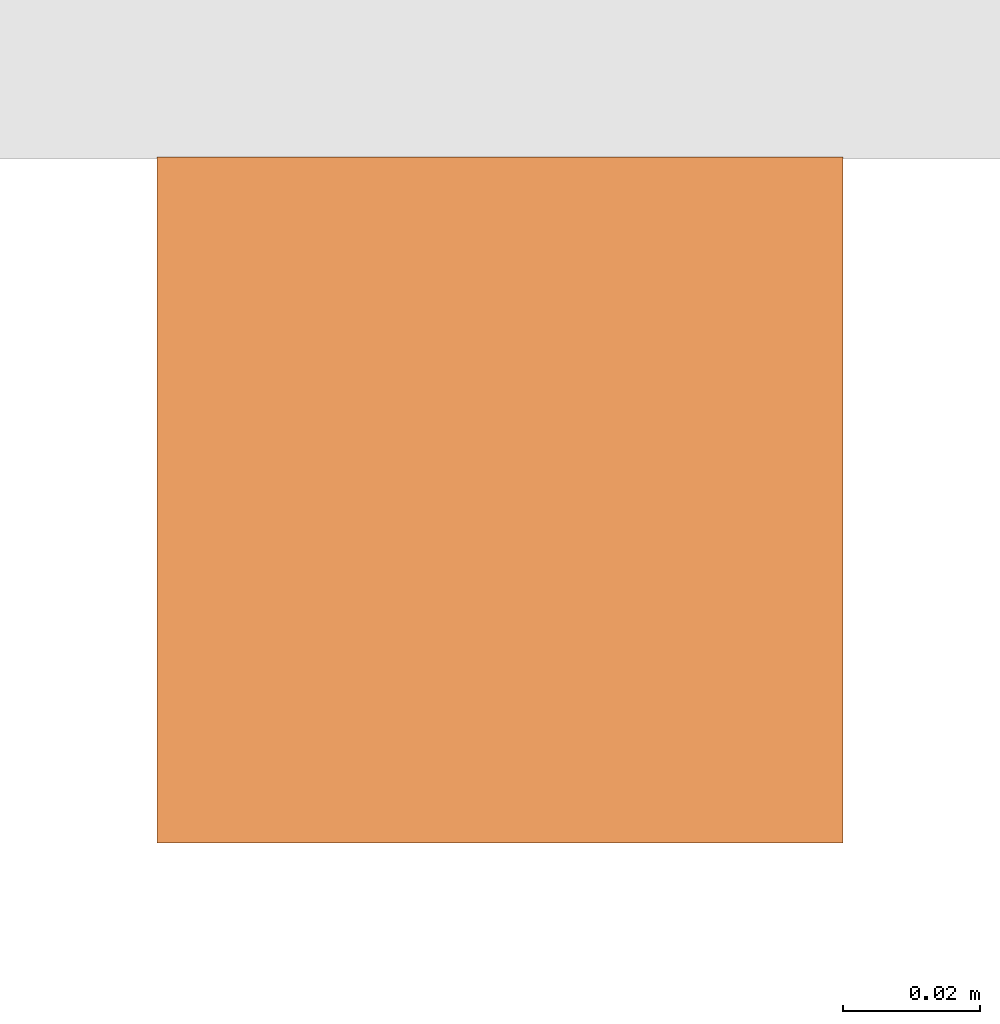
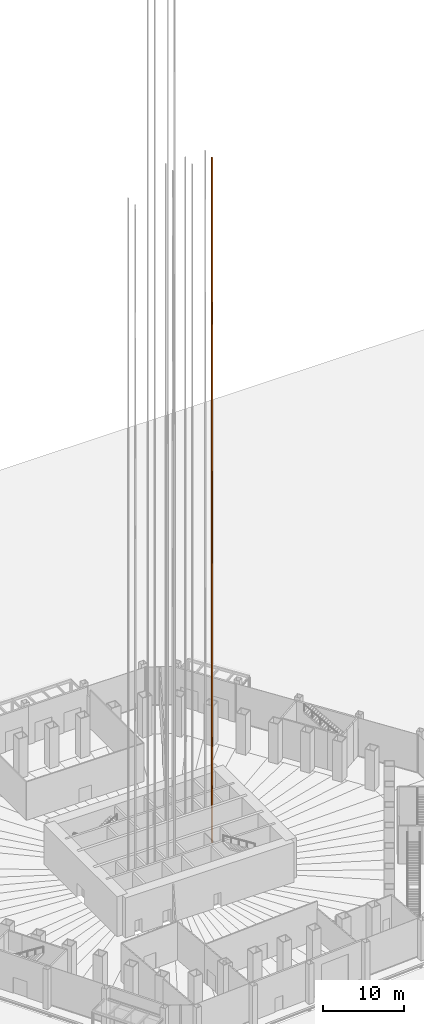
# One storey, part 43 of 45: 1 proxy.
"""IFC4 building model written with IfcOpenShell, lengths in metres."""

from ifc_helpers import new_model, si_unit, direction, frame, origin, origin_2d, place, context, subcontext, project, spatial, rectangle, extrude, material, type_object, element, save


model = new_model("IFC4")

# Units and contexts
model_context = context("Model", 3, precision=1e-05, world=origin(), true_north=direction((0.0, 1.0)))
body_context = subcontext(model_context, "Body", "Model", "MODEL_VIEW")
ifc_project = project(units=[si_unit("LENGTHUNIT", "METRE"), si_unit("AREAUNIT", "SQUARE_METRE"), si_unit("VOLUMEUNIT", "CUBIC_METRE"), si_unit("PLANEANGLEUNIT", "RADIAN"), si_unit("MASSUNIT", "GRAM", prefix="KILO")], contexts=[model_context])

# Site, building, storey
site_placement = place(None, origin())
site = spatial("IfcSite", under=ifc_project, at=site_placement, CompositionType="ELEMENT")
building_placement = place(site_placement, origin())
building = spatial("IfcBuilding", under=site, at=building_placement, Name="Qingtian Harvest Tower", CompositionType="ELEMENT")
storey_placement = place(building_placement, origin())
storey = spatial("IfcBuildingStorey", under=building, at=storey_placement, Name="L00", CompositionType="ELEMENT", Elevation=0.0)

# Proxy
ifc_material = material(Name="Steel SN490B", Category="steel")
building_element_proxy_type = type_object("IfcBuildingElementProxyType", Name="Lift guide rail LR1", PredefinedType="NOTDEFINED", material=ifc_material)
proxy_placement = place(storey_placement, frame((7.5, 2.675048828125, 0.0), z_axis=(0.0, 0.0, 1.0), x_axis=(1.0, 0.0, 0.0)))
element("IfcBuildingElementProxy", 1, at=proxy_placement, inside=storey, type_object=building_element_proxy_type, Name="Lift PLA3 guide rail 1", PredefinedType="NOTDEFINED", context=body_context, shape_type="SweptSolid", body=[
    extrude(rectangle(XDim=0.10009765625, YDim=0.10009765625, at=origin_2d()), origin(), (0.0, 0.0, 1.0), 103.0),
])

save(model, "model.ifc")
